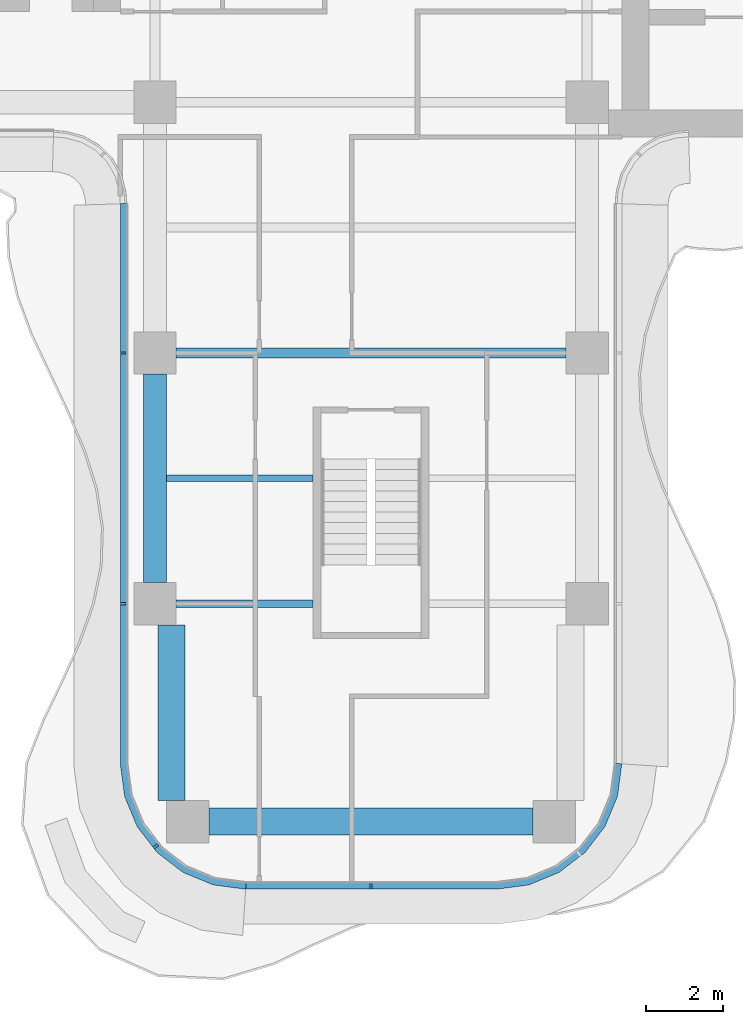
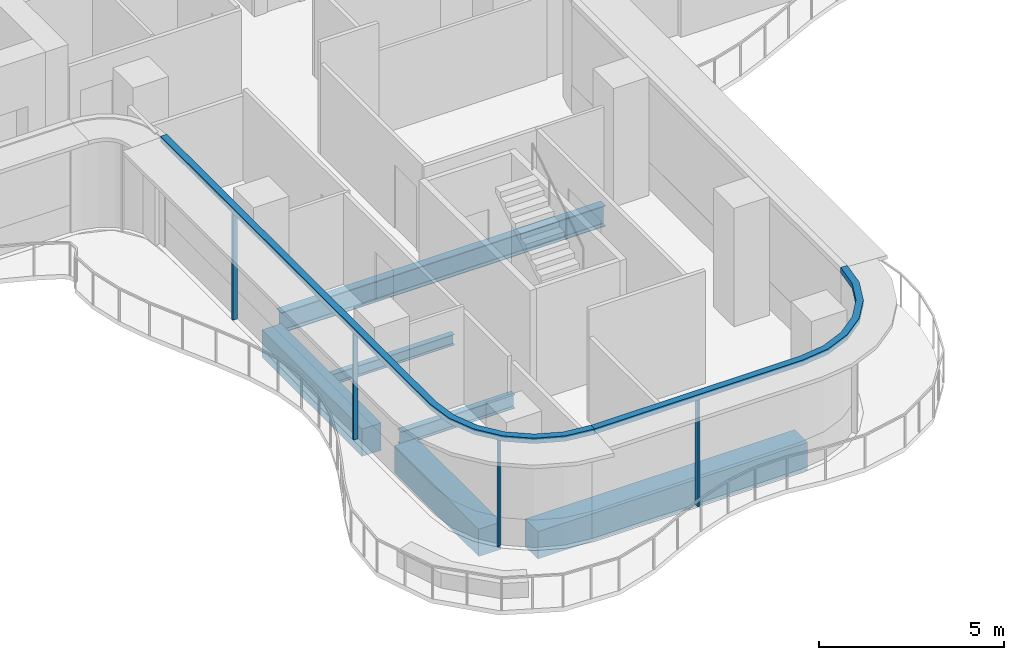
# One storey, part 2 of 17: 6 beams, 6 members, 2 elements without a shape of their own.
"""IFC4 building model written with IfcOpenShell, lengths in metres."""

from ifc_helpers import new_model, si_unit, direction, frame, origin, origin_2d, place, context, subcontext, project, spatial, polyline, rectangle, i_section, outline, extrude, source, transform, mapped, material, layer, layer_set, material_profile, profile_set, type_object, element, aggregate, save


model = new_model("IFC4")

# Units and contexts
model_context = context("Model", 3, precision=1e-05, world=origin(), true_north=direction((0.0, 1.0)))
body_context = subcontext(model_context, "Body", "Model", "MODEL_VIEW")
ifc_project = project(units=[si_unit("LENGTHUNIT", "METRE"), si_unit("AREAUNIT", "SQUARE_METRE"), si_unit("VOLUMEUNIT", "CUBIC_METRE"), si_unit("PLANEANGLEUNIT", "RADIAN"), si_unit("MASSUNIT", "GRAM", prefix="KILO")], contexts=[model_context])

# Site, building, storey
site_placement = place(None, origin())
site = spatial("IfcSite", under=ifc_project, at=site_placement, CompositionType="ELEMENT")
building_placement = place(site_placement, origin())
building = spatial("IfcBuilding", under=site, at=building_placement, Name="Trellis Farm Tower", CompositionType="ELEMENT")
storey_placement = place(building_placement, frame((0.0, 0.0, 232.39990234375)))
storey = spatial("IfcBuildingStorey", under=building, at=storey_placement, Name="L51", CompositionType="ELEMENT", Elevation=232.39990234375)

# Beams
ifc_material_1 = material(Name="Steel S355", Category="steel")
ifc_material_profile_1 = material_profile(ifc_material_1, i_section(OverallWidth=0.17138671875, OverallDepth=0.35498046875, WebThickness=0.00732421875, FlangeThickness=0.011474609375, FilletRadius=0.01025390625, at=origin_2d()), Name="UB 356x171x51")
ifc_profile_set_1 = profile_set([ifc_material_profile_1], Name="Steel S355")
beam_type_1 = type_object("IfcBeamType", Name="UB 356x171x51 joist", PredefinedType="JOIST", material=ifc_profile_set_1)
shared_shape_1 = source(origin(), body_context, "Body", "SweptSolid", [
    extrude(i_section(OverallWidth=0.17138671875, OverallDepth=0.35498046875, WebThickness=0.00732421875, FlangeThickness=0.011474609375, FilletRadius=0.01025390625, at=origin_2d()), origin(), (0.0, 0.0, 1.0), 3.800048828125),
])
beam_1_placement = place(storey_placement, frame((-5.300048828125, -15.35009765625, -0.37744140625), z_axis=(1.0, 0.0, 0.0), x_axis=(0.0, 1.0, 0.0)))
element("IfcBeam", 1, at=beam_1_placement, inside=storey, type_object=beam_type_1, Name="Floor beam", PredefinedType="JOIST", context=body_context, shape_type="MappedRepresentation", body=[
    mapped(shared_shape_1, transform((0.0, 0.0, 0.0))),
])
ifc_material_profile_2 = material_profile(ifc_material_1, i_section(OverallWidth=0.1904296875, OverallDepth=0.45703125, WebThickness=0.009033203125, FlangeThickness=0.014404296875, FilletRadius=0.01025390625, at=origin_2d()), Name="UB 457x191x74")
ifc_profile_set_2 = profile_set([ifc_material_profile_2], Name="Steel S355")
beam_type_2 = type_object("IfcBeamType", Name="UB 457x191x74", PredefinedType="BEAM", material=ifc_profile_set_2)
shared_shape_2 = source(origin(), body_context, "Body", "SweptSolid", [
    extrude(i_section(OverallWidth=0.1904296875, OverallDepth=0.45703125, WebThickness=0.009033203125, FlangeThickness=0.014404296875, FilletRadius=0.01025390625, at=origin_2d()), origin(), (0.0, 0.0, 1.0), 3.550048828125),
])
beam_2_placement = place(storey_placement, frame((-5.050048828125, -18.60009765625, -0.428466796875), z_axis=(1.0, 0.0, 0.0), x_axis=(0.0, 1.0, 0.0)))
element("IfcBeam", 2, at=beam_2_placement, inside=storey, type_object=beam_type_2, Name="Girder", PredefinedType="BEAM", context=body_context, shape_type="MappedRepresentation", body=[
    mapped(shared_shape_2, transform((0.0, 0.0, 0.0))),
])
ifc_material_profile_3 = material_profile(ifc_material_1, i_section(OverallWidth=0.253662109375, OverallDepth=0.68359375, WebThickness=0.012451171875, FlangeThickness=0.021728515625, FilletRadius=0.01513671875, at=origin_2d()), Name="UB 686x254x140")
ifc_profile_set_3 = profile_set([ifc_material_profile_3], Name="Steel S355")
beam_type_3 = type_object("IfcBeamType", Name="UB 686x254x140", PredefinedType="BEAM", material=ifc_profile_set_3)
shared_shape_3 = source(origin(), body_context, "Body", "SweptSolid", [
    extrude(i_section(OverallWidth=0.253662109375, OverallDepth=0.68359375, WebThickness=0.012451171875, FlangeThickness=0.021728515625, FilletRadius=0.01513671875, at=origin_2d()), origin(), (0.0, 0.0, 1.0), 10.10009765625),
])
beam_3_placement = place(storey_placement, frame((-5.050048828125, -12.10009765625, -0.54150390625), z_axis=(1.0, 0.0, 0.0), x_axis=(0.0, 1.0, 0.0)))
element("IfcBeam", 3, at=beam_3_placement, inside=storey, type_object=beam_type_3, Name="Girder", PredefinedType="BEAM", context=body_context, shape_type="MappedRepresentation", body=[
    mapped(shared_shape_3, transform((0.0, 0.0, 0.0))),
])
ifc_material_2 = material(Name="Concrete C60/75", Category="concrete")
ifc_material_profile_4 = material_profile(ifc_material_2, rectangle(XDim=0.60009765625, YDim=0.89990234375, at=origin_2d()), Name="RC spandrel beam 600x900 C60/75")
ifc_profile_set_4 = profile_set([ifc_material_profile_4], Name="Concrete C60/75")
beam_type_4 = type_object("IfcBeamType", Name="RC spandrel beam 600x900 C60/75", PredefinedType="SPANDREL", material=ifc_profile_set_4)
shared_shape_4 = source(origin(), body_context, "Body", "SweptSolid", [
    extrude(rectangle(XDim=0.60009765625, YDim=0.89990234375, at=origin_2d()), origin(), (0.0, 0.0, 1.0), 5.400146484375),
])
beam_4_placement = place(storey_placement, frame((-5.60009765625, -18.050048828125, -0.64990234375), z_axis=(0.0, 1.0, 0.0), x_axis=(-1.0, 0.0, 0.0)))
element("IfcBeam", 4, at=beam_4_placement, inside=storey, type_object=beam_type_4, Name="Girder", PredefinedType="SPANDREL", context=body_context, shape_type="MappedRepresentation", body=[
    mapped(shared_shape_4, transform((0.0, 0.0, 0.0))),
])
ifc_material_profile_5 = material_profile(ifc_material_2, rectangle(XDim=0.699951171875, YDim=0.89990234375, at=origin_2d()), Name="RC spandrel beam 700x900 C60/75")
ifc_profile_set_5 = profile_set([ifc_material_profile_5], Name="Concrete C60/75")
beam_type_5 = type_object("IfcBeamType", Name="RC spandrel beam 700x900 C60/75", PredefinedType="SPANDREL", material=ifc_profile_set_5)
shared_shape_5 = source(origin(), body_context, "Body", "SweptSolid", [
    extrude(rectangle(XDim=0.699951171875, YDim=0.89990234375, at=origin_2d()), origin(), (0.0, 0.0, 1.0), 8.39990234375),
])
beam_5_placement = place(storey_placement, frame((-4.199951171875, -24.25, -0.64990234375), z_axis=(1.0, 0.0, 0.0), x_axis=(0.0, 1.0, 0.0)))
element("IfcBeam", 5, at=beam_5_placement, inside=storey, type_object=beam_type_5, Name="Girder", PredefinedType="SPANDREL", context=body_context, shape_type="MappedRepresentation", body=[
    mapped(shared_shape_5, transform((0.0, 0.0, 0.0))),
])
shared_shape_6 = source(origin(), body_context, "Body", "SweptSolid", [
    extrude(rectangle(XDim=0.699951171875, YDim=0.89990234375, at=origin_2d()), origin(), (0.0, 0.0, 1.0), 4.550048828125),
])
beam_6_placement = place(storey_placement, frame((-5.175048828125, -23.699951171875, -0.64990234375), z_axis=(0.0, 1.0, 0.0), x_axis=(-1.0, 0.0, 0.0)))
element("IfcBeam", 6, at=beam_6_placement, inside=storey, type_object=beam_type_5, Name="Girder", PredefinedType="SPANDREL", context=body_context, shape_type="MappedRepresentation", body=[
    mapped(shared_shape_6, transform((0.0, 0.0, 0.0))),
])

# Curtain wall, members
ifc_material_3 = material(Name="Aluminium and glass curtain wall", Category="aluminium")
ifc_layer_1 = layer(ifc_material_3, 0.18994140625)
ifc_layer_set_1 = layer_set([ifc_layer_1], Name="RIBBON CURTAIN WALL CW1")
curtain_wall_type = type_object("IfcCurtainWallType", Name="RIBBON CURTAIN WALL CW1", PredefinedType="NOTDEFINED", material=ifc_layer_set_1)
placement_1 = place(storey_placement, origin())
curtain_wall_1 = element("IfcCurtainWall", 7, at=placement_1, inside=storey, type_object=curtain_wall_type, Name="CW1 002", PredefinedType="NOTDEFINED")
ifc_material_4 = material(Name="Aluminium extrusion 6063-T6", Category="aluminium")
ifc_material_profile_6 = material_profile(ifc_material_4, rectangle(XDim=0.06005859375, YDim=0.14990234375, at=origin_2d()), Name="MULLION 60x150")
ifc_profile_set_6 = profile_set([ifc_material_profile_6], Name="Aluminium extrusion 6063-T6")
member_type_1 = type_object("IfcMemberType", Name="CW1 MULLION 60x150", PredefinedType="MULLION", material=ifc_profile_set_6)
shared_shape_7 = source(origin(), body_context, "Body", "SweptSolid", [
    extrude(rectangle(XDim=0.06005859375, YDim=0.14990234375, at=origin_2d()), origin(), (0.0, 0.0, 1.0), 3.52001953125),
])
member_1_placement = place(storey_placement, frame((-6.425048828125, -12.10009765625, 0.0), z_axis=(0.0, 0.0, 1.0), x_axis=(0.0, -1.0, 0.0)))
member_1 = element("IfcMember", 8, at=member_1_placement, type_object=member_type_1, Name="MU1 002-01", PredefinedType="MULLION", context=body_context, shape_type="MappedRepresentation", body=[
    mapped(shared_shape_7, transform((0.0, 0.0, 0.0))),
])
member_2_placement = place(storey_placement, frame((-6.425048828125, -18.60009765625, 0.0), z_axis=(0.0, 0.0, 1.0), x_axis=(0.0, -1.0, 0.0)))
member_2 = element("IfcMember", 9, at=member_2_placement, type_object=member_type_1, Name="MU1 002-02", PredefinedType="MULLION", context=body_context, shape_type="MappedRepresentation", body=[
    mapped(shared_shape_7, transform((0.0, 0.0, 0.0))),
])
member_3_placement = place(storey_placement, frame((-5.578369140625, -24.885498046875, 0.0), z_axis=(0.0, 0.0, 1.0), x_axis=(0.608761429009, -0.793353340291, 0.0)))
member_3 = element("IfcMember", 10, at=member_3_placement, type_object=member_type_1, Name="MU1 002-03", PredefinedType="MULLION", context=body_context, shape_type="MappedRepresentation", body=[
    mapped(shared_shape_7, transform((0.0, 0.0, 0.0))),
])

# Curtain wall, member
curtain_wall_2 = element("IfcCurtainWall", 11, at=placement_1, inside=storey, type_object=curtain_wall_type, Name="CW1 003", PredefinedType="NOTDEFINED")
member_4_placement = place(storey_placement, frame((0.0, -25.925048828125, 0.0), z_axis=(0.0, 0.0, 1.0), x_axis=(1.0, 0.0, 0.0)))
member_4 = element("IfcMember", 12, at=member_4_placement, type_object=member_type_1, Name="MU1 003-01", PredefinedType="MULLION", context=body_context, shape_type="MappedRepresentation", body=[
    mapped(shared_shape_7, transform((0.0, 0.0, 0.0))),
])

# Member
ifc_layer_2 = layer(ifc_material_4, 0.199951171875)
ifc_layer_set_2 = layer_set([ifc_layer_2], Name="Aluminium extrusion 6063-T6")
member_type_2 = type_object("IfcMemberType", Name="CW1 TRANSOM 200x180", PredefinedType="USERDEFINED", material=ifc_layer_set_2)
shared_shape_8 = source(origin(), body_context, "Body", "SweptSolid", [
    extrude(outline(polyline([(-6.5, -8.2314453125), (-6.5, -22.75), (-6.38916015625, -23.591064453125), (-6.064697265625, -24.375), (-5.548095703125, -25.048095703125), (-4.875, -25.564697265625), (-4.091064453125, -25.88916015625), (-3.25, -26.0), (-3.23681640625, -25.800048828125), (-4.0390625, -25.6943359375), (-4.774169921875, -25.389892578125), (-5.405517578125, -24.905517578125), (-5.889892578125, -24.274169921875), (-6.1943359375, -23.5390625), (-6.300048828125, -22.73681640625), (-6.300048828125, -8.224853515625), (-6.5, -8.2314453125)])), origin(), (0.0, 0.0, 1.0), 0.18017578125),
])
placement_2 = place(storey_placement, frame((0.0, 0.0, 3.52001953125)))
member_5 = element("IfcMember", 13, at=placement_2, type_object=member_type_2, Name="TR1 002", ObjectType="TRANSOM", PredefinedType="USERDEFINED", context=body_context, shape_type="MappedRepresentation", body=[
    mapped(shared_shape_8, transform((0.0, 0.0, 0.0))),
])

aggregate(curtain_wall_1, [member_1, member_2, member_3, member_5])

shared_shape_9 = source(origin(), body_context, "Body", "SweptSolid", [
    extrude(outline(polyline([(-3.25, -26.0), (3.25, -26.0), (4.091064453125, -25.88916015625), (4.875, -25.564697265625), (5.548095703125, -25.048095703125), (6.064697265625, -24.375), (6.38916015625, -23.591064453125), (6.5, -22.75), (6.300048828125, -22.73681640625), (6.1943359375, -23.5390625), (5.889892578125, -24.274169921875), (5.405517578125, -24.905517578125), (4.774169921875, -25.389892578125), (4.0390625, -25.6943359375), (3.23681640625, -25.800048828125), (-3.23681640625, -25.800048828125), (-3.25, -26.0)])), origin(), (0.0, 0.0, 1.0), 0.18017578125),
])
member_6 = element("IfcMember", 14, at=placement_2, type_object=member_type_2, Name="TR1 003", ObjectType="TRANSOM", PredefinedType="USERDEFINED", context=body_context, shape_type="MappedRepresentation", body=[
    mapped(shared_shape_9, transform((0.0, 0.0, 0.0))),
])

aggregate(curtain_wall_2, [member_4, member_6])

save(model, "model.ifc")
